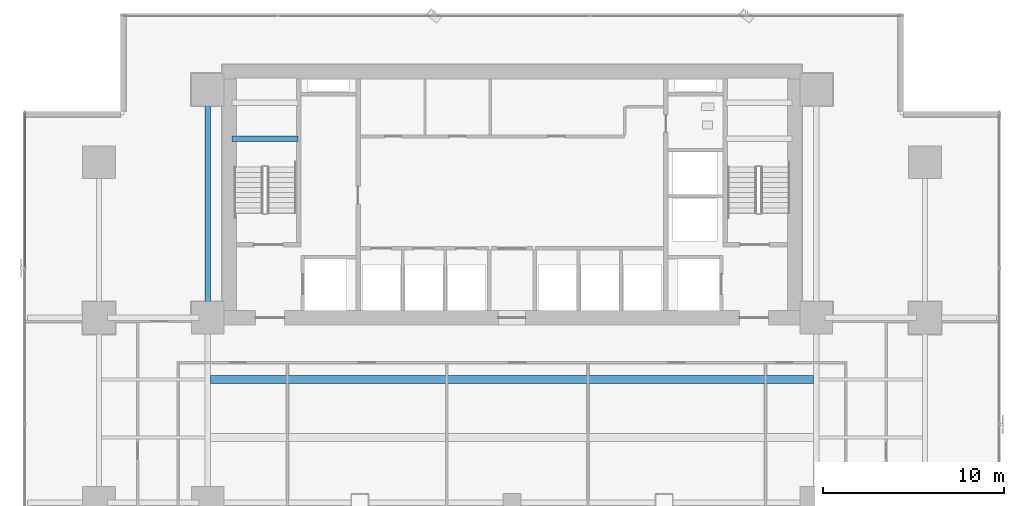
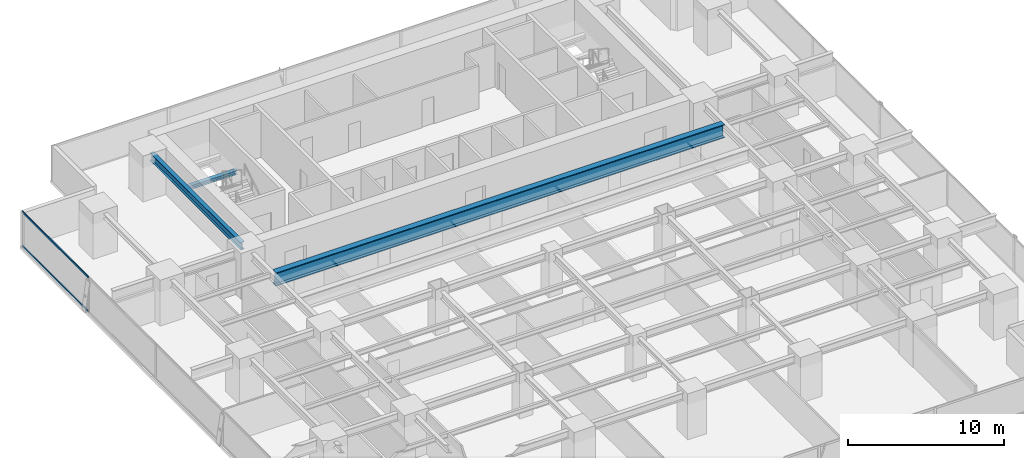
# One storey, part 17 of 33: 3 beams, 2 members, 1 element without a shape of its own.
"""IFC4 building model written with IfcOpenShell, lengths in metres."""

from ifc_helpers import new_model, si_unit, direction, frame, origin, origin_2d, place, context, subcontext, project, spatial, hollow_rectangle, i_section, extrude, source, transform, mapped, material, layer, layer_set, material_profile, profile_set, type_object, element, aggregate, save


model = new_model("IFC4")

# Units and contexts
model_context = context("Model", 3, precision=1e-05, world=origin(), true_north=direction((0.0, 1.0)))
body_context = subcontext(model_context, "Body", "Model", "MODEL_VIEW")
ifc_project = project(units=[si_unit("LENGTHUNIT", "METRE"), si_unit("AREAUNIT", "SQUARE_METRE"), si_unit("VOLUMEUNIT", "CUBIC_METRE"), si_unit("PLANEANGLEUNIT", "RADIAN"), si_unit("MASSUNIT", "GRAM", prefix="KILO")], contexts=[model_context])

# Site, building, storey
site_placement = place(None, origin())
site = spatial("IfcSite", under=ifc_project, at=site_placement, CompositionType="ELEMENT")
building_placement = place(site_placement, origin())
building = spatial("IfcBuilding", under=site, at=building_placement, Name="Sumidabori Civic Tower", CompositionType="ELEMENT")
storey_placement = place(building_placement, frame((0.0, 0.0, 30.800048828125)))
storey = spatial("IfcBuildingStorey", under=building, at=storey_placement, Name="L07", CompositionType="ELEMENT", Elevation=30.800048828125)

# Beams
ifc_material_1 = material(Name="Steel SN490", Category="steel")
ifc_material_profile_1 = material_profile(ifc_material_1, i_section(OverallWidth=0.300048828125, OverallDepth=0.300048828125, WebThickness=0.010986328125, FlangeThickness=0.01904296875, at=origin_2d()), Name="HE 300 B")
ifc_profile_set_1 = profile_set([ifc_material_profile_1], Name="Steel SN490")
beam_type_1 = type_object("IfcBeamType", Name="BM-LDG-300", PredefinedType="BEAM", material=ifc_profile_set_1)
shared_shape_1 = source(origin(), body_context, "Body", "SweptSolid", [
    extrude(i_section(OverallWidth=0.300048828125, OverallDepth=0.300048828125, WebThickness=0.010986328125, FlangeThickness=0.01904296875, at=origin_2d()), origin(), (0.0, 0.0, 1.0), 3.64990234375),
])
beam_1_placement = place(storey_placement, frame((-15.449951171875, 20.09765625, 1.449951171875), z_axis=(1.0, 0.0, 0.0), x_axis=(0.0, 1.0, 0.0)))
element("IfcBeam", 1, at=beam_1_placement, inside=storey, type_object=beam_type_1, Name="Stair ST-1 Landing Support Beam L07-1A", PredefinedType="BEAM", context=body_context, shape_type="MappedRepresentation", body=[
    mapped(shared_shape_1, transform((0.0, 0.0, 0.0), x_axis=(1.0, 0.0, 0.0), y_axis=(0.0, 1.0, 0.0), z_axis=(0.0, 0.0, 1.0), scale=1.0)),
])
ifc_material_profile_2 = material_profile(ifc_material_1, i_section(OverallWidth=0.300048828125, OverallDepth=0.60009765625, WebThickness=0.015380859375, FlangeThickness=0.030029296875, at=origin_2d()), Name="HE 600 B")
ifc_profile_set_2 = profile_set([ifc_material_profile_2], Name="Steel SN490")
beam_type_2 = type_object("IfcBeamType", Name="BM-GIRD-600", PredefinedType="BEAM", material=ifc_profile_set_2)
shared_shape_2 = source(origin(), body_context, "Body", "SweptSolid", [
    extrude(i_section(OverallWidth=0.300048828125, OverallDepth=0.60009765625, WebThickness=0.015380859375, FlangeThickness=0.030029296875, at=origin_2d()), origin(), (0.0, 0.0, 1.0), 11.64013671875),
])
beam_2_placement = place(storey_placement, frame((-16.800048828125, 10.679931640625, 3.06005859375), z_axis=(0.0, 1.0, 0.0), x_axis=(-1.0, 0.0, 0.0)))
element("IfcBeam", 2, at=beam_2_placement, inside=storey, type_object=beam_type_2, Name="Primary Girder L07 GY-28", PredefinedType="BEAM", context=body_context, shape_type="MappedRepresentation", body=[
    mapped(shared_shape_2, transform((0.0, 0.0, 0.0), x_axis=(1.0, 0.0, 0.0), y_axis=(0.0, 1.0, 0.0), z_axis=(0.0, 0.0, 1.0), scale=1.0)),
])
ifc_material_2 = material(Name="Steel SM570", Category="steel")
ifc_material_profile_3 = material_profile(ifc_material_2, i_section(OverallWidth=0.446044921875, OverallDepth=1.0439453125, WebThickness=0.035888671875, FlangeThickness=0.06396484375, at=origin_2d()), Name="W36X652")
ifc_profile_set_3 = profile_set([ifc_material_profile_3], Name="Steel SM570")
beam_type_3 = type_object("IfcBeamType", Name="BM-HEAVY-W36A", PredefinedType="BEAM", material=ifc_profile_set_3)
shared_shape_3 = source(origin(), body_context, "Body", "SweptSolid", [
    extrude(i_section(OverallWidth=0.446044921875, OverallDepth=1.0439453125, WebThickness=0.035888671875, FlangeThickness=0.06396484375, at=origin_2d()), origin(), (0.0, 0.0, 1.0), 33.2998046875),
])
beam_3_placement = place(storey_placement, frame((-16.64990234375, 6.800048828125, 2.837890625), z_axis=(1.0, 0.0, 0.0), x_axis=(0.0, 1.0, 0.0)))
element("IfcBeam", 3, at=beam_3_placement, inside=storey, type_object=beam_type_3, Name="North Bay Floor Beam L07 JSTN-60", PredefinedType="BEAM", context=body_context, shape_type="MappedRepresentation", body=[
    mapped(shared_shape_3, transform((0.0, 0.0, 0.0), x_axis=(1.0, 0.0, 0.0), y_axis=(0.0, 1.0, 0.0), z_axis=(0.0, 0.0, 1.0), scale=1.0)),
])

# Curtain wall, members
ifc_material_3 = material(Name="Anodised Bronze Aluminium AW-6063-T6", Category="aluminium")
ifc_layer = layer(ifc_material_3, 0.179931640625, Name="Anodised Bronze Aluminium AW-6063-T6")
ifc_layer_set = layer_set([ifc_layer], Name="Anodised Bronze Aluminium AW-6063-T6")
curtain_wall_type = type_object("IfcCurtainWallType", Name="CW-SYS-2", PredefinedType="NOTDEFINED", material=ifc_layer_set)
curtain_wall_placement = place(storey_placement, origin())
curtain_wall = element("IfcCurtainWall", 4, at=curtain_wall_placement, inside=storey, type_object=curtain_wall_type, Name="Curtain Wall CW:L07:R10", PredefinedType="NOTDEFINED")
ifc_material_profile_4 = material_profile(ifc_material_3, hollow_rectangle(XDim=0.06494140625, YDim=0.14990234375, WallThickness=0.0048828125, at=origin_2d()), Name="ALU TRANSOM 150x65")
ifc_profile_set_4 = profile_set([ifc_material_profile_4], Name="Anodised Bronze Aluminium AW-6063-T6")
member_type = type_object("IfcMemberType", Name="CW-TRN-150", PredefinedType="USERDEFINED", material=ifc_profile_set_4)
shared_shape_4 = source(origin(), body_context, "Body", "SweptSolid", [
    extrude(hollow_rectangle(XDim=0.06494140625, YDim=0.14990234375, WallThickness=0.0048828125, at=origin_2d()), origin(), (0.0, 0.0, 1.0), 8.52294921875),
])
member_1_placement = place(storey_placement, frame((-26.8798828125, 21.5, 0.032470703125), z_axis=(0.0, -1.0, 0.0), x_axis=(1.0, 0.0, 0.0)))
member_1 = element("IfcMember", 5, at=member_1_placement, type_object=member_type, Name="CW-2 transom 1.1", ObjectType="TRANSOM", PredefinedType="USERDEFINED", context=body_context, shape_type="MappedRepresentation", body=[
    mapped(shared_shape_4, transform((0.0, 0.0, 0.0), x_axis=(1.0, 0.0, 0.0), y_axis=(0.0, 1.0, 0.0), z_axis=(0.0, 0.0, 1.0), scale=1.0)),
])
member_2_placement = place(storey_placement, frame((-26.8798828125, 21.5, 2.70751953125), z_axis=(0.0, -1.0, 0.0), x_axis=(1.0, 0.0, 0.0)))
member_2 = element("IfcMember", 6, at=member_2_placement, type_object=member_type, Name="CW-2 transom 1.2", ObjectType="TRANSOM", PredefinedType="USERDEFINED", context=body_context, shape_type="MappedRepresentation", body=[
    mapped(shared_shape_4, transform((0.0, 0.0, 0.0), x_axis=(1.0, 0.0, 0.0), y_axis=(0.0, 1.0, 0.0), z_axis=(0.0, 0.0, 1.0), scale=1.0)),
])
aggregate(curtain_wall, [member_1, member_2])

save(model, "model.ifc")
